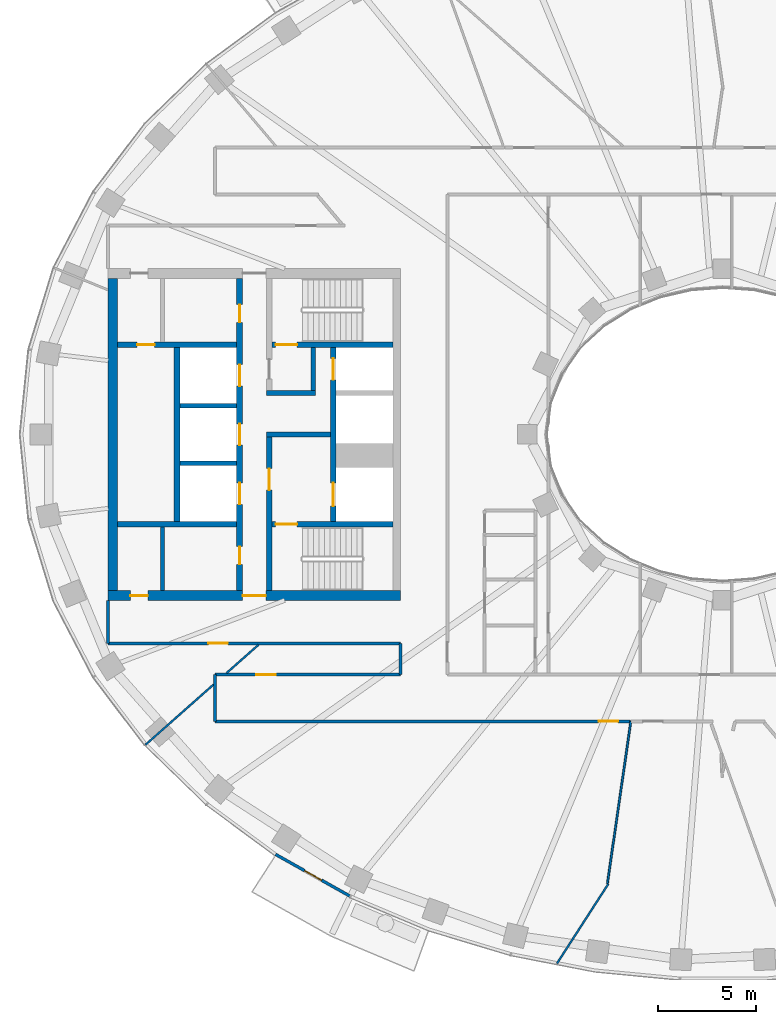
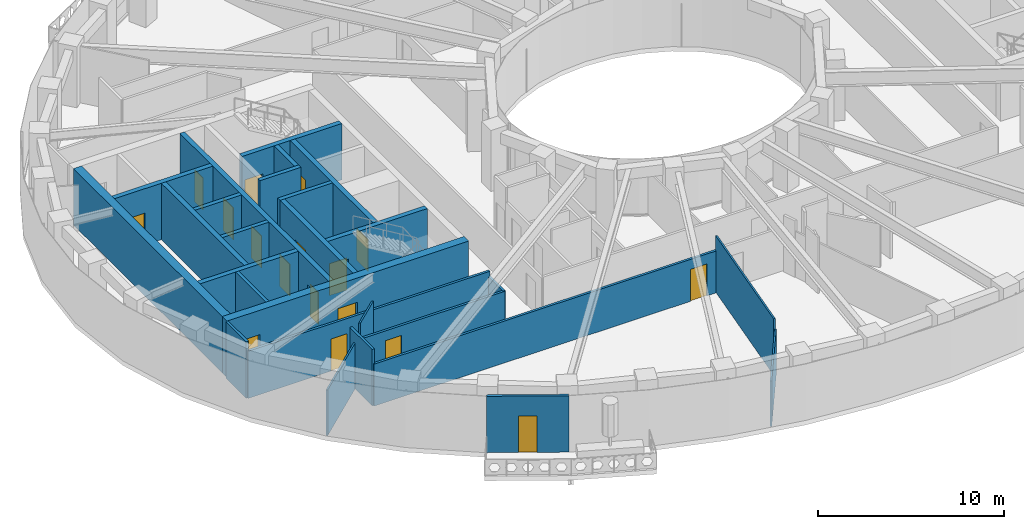
# One storey, part 3 of 15: 27 walls, 17 doors, 17 openings.
"""IFC4 building model written with IfcOpenShell, lengths in metres."""

from ifc_helpers import new_model, si_unit, direction, frame, frame_2d, origin, place, context, subcontext, project, spatial, rectangle, extrude, material, layer, layer_set, type_object, element, fill, save


model = new_model("IFC4")

# Units and contexts
model_context = context("Model", 3, precision=1e-05, world=origin(), true_north=direction((0.0, 1.0)))
body_context = subcontext(model_context, "Body", "Model", "MODEL_VIEW")
ifc_project = project(units=[si_unit("LENGTHUNIT", "METRE"), si_unit("AREAUNIT", "SQUARE_METRE"), si_unit("VOLUMEUNIT", "CUBIC_METRE"), si_unit("PLANEANGLEUNIT", "RADIAN"), si_unit("MASSUNIT", "GRAM", prefix="KILO")], contexts=[model_context])

# Site, building, storey
site_placement = place(None, origin())
site = spatial("IfcSite", under=ifc_project, at=site_placement, CompositionType="ELEMENT")
building_placement = place(site_placement, origin())
building = spatial("IfcBuilding", under=site, at=building_placement, Name="Noorbagh Ring Tower", CompositionType="ELEMENT")
storey_placement = place(building_placement, frame((0.0, 0.0, 253.5)))
storey = spatial("IfcBuildingStorey", under=building, at=storey_placement, Name="L53", CompositionType="ELEMENT", Elevation=253.5)

# Walls
ifc_material_1 = material(Name="Gypsum board on steel studs", Category="steel")
ifc_layer_1 = layer(ifc_material_1, 0.199951171875)
ifc_layer_set_1 = layer_set([ifc_layer_1], Name="Gypsum board on steel studs")
wall_type_1 = type_object("IfcWallType", Name="CORE-PARTITION-200", PredefinedType="PARTITIONING", material=ifc_layer_set_1)
wall_1_placement = place(storey_placement, frame((-28.699951171875, -8.0, 0.0), z_axis=(0.0, 0.0, 1.0), x_axis=(0.0, 1.0, 0.0)))
element("IfcWall", 1, at=wall_1_placement, inside=storey, type_object=wall_type_1, Name="Core partition W", PredefinedType="PARTITIONING", context=body_context, shape_type="SweptSolid", body=[
    extrude(rectangle(XDim=3.25, YDim=0.199951171875, at=frame_2d((1.625, 0.0))), origin(), (0.0, 0.0, 1.0), 3.699951171875),
])
ifc_material_2 = material(Name="Concrete C60/75", Category="concrete")
ifc_layer_2 = layer(ifc_material_2, 0.25)
ifc_layer_set_2 = layer_set([ifc_layer_2], Name="Concrete C60/75")
wall_type_2 = type_object("IfcWallType", Name="CORE-WALL-250-C60-75-EI120", PredefinedType="SHEAR", material=ifc_layer_set_2)
for number, where, z_axis, x_axis, name in (
    (2, (-24.89990234375, -1.47509765625, 0.0), (0.0, 0.0, 1.0), (-1.0, 0.0, 0.0), "Core wall W"),
    (3, (-24.89990234375, 1.47509765625, 0.0), (0.0, 0.0, 1.0), (-1.0, 0.0, 0.0), "Core wall W"),
):
    element("IfcWall", number, at=place(storey_placement, frame(where, z_axis=z_axis, x_axis=x_axis)), inside=storey, type_object=wall_type_2, Name=name, PredefinedType="SHEAR", context=body_context, shape_type="SweptSolid", body=[
        extrude(rectangle(XDim=2.900146484375, YDim=0.25, at=frame_2d((1.4501953125, 0.0))), origin(), (0.0, 0.0, 1.0), 3.699951171875),
    ])
ifc_material_3 = material(Name="Concrete C60/75", Category="concrete")
ifc_layer_3 = layer(ifc_material_3, 0.25)
ifc_layer_set_3 = layer_set([ifc_layer_3], Name="Concrete C60/75")
wall_type_3 = type_object("IfcWallType", Name="CORE-WALL-250-C60-75-EI240", PredefinedType="SHEAR", material=ifc_layer_set_3)
wall_2_placement = place(storey_placement, frame((-20.10009765625, 0.0, 0.0), z_axis=(0.0, 0.0, 1.0), x_axis=(-1.0, 0.0, 0.0)))
element("IfcWall", 4, at=wall_2_placement, inside=storey, type_object=wall_type_3, Name="Core wall W", PredefinedType="SHEAR", context=body_context, shape_type="SweptSolid", body=[
    extrude(rectangle(XDim=3.27978515625, YDim=0.25, at=frame_2d((1.639892578125, 0.0))), origin(), (0.0, 0.0, 1.0), 3.699951171875),
])
wall_3_placement = place(storey_placement, frame((-20.85009765625, 2.125, 0.0), z_axis=(0.0, 0.0, 1.0), x_axis=(-1.0, 0.0, 0.0)))
element("IfcWall", 5, at=wall_3_placement, inside=storey, type_object=wall_type_3, Name="Core wall W", PredefinedType="SHEAR", context=body_context, shape_type="SweptSolid", body=[
    extrude(rectangle(XDim=2.52978515625, YDim=0.25, at=frame_2d((1.264892578125, 0.0))), origin(), (0.0, 0.0, 1.0), 3.699951171875),
])
wall_4_placement = place(storey_placement, frame((-20.97509765625, 2.25, 0.0), z_axis=(0.0, 0.0, 1.0), x_axis=(0.0, 1.0, 0.0)))
element("IfcWall", 6, at=wall_4_placement, inside=storey, type_object=wall_type_3, Name="Core wall W", PredefinedType="SHEAR", context=body_context, shape_type="SweptSolid", body=[
    extrude(rectangle(XDim=2.199951171875, YDim=0.25, at=frame_2d((1.10009765625, 0.0))), origin(), (0.0, 0.0, 1.0), 3.699951171875),
])
ifc_material_4 = material(Name="Concrete C60/75", Category="concrete")
ifc_layer_4 = layer(ifc_material_4, 0.300048828125)
ifc_layer_set_4 = layer_set([ifc_layer_4], Name="Concrete C60/75")
wall_type_4 = type_object("IfcWallType", Name="CORE-WALL-300-C60-75-EI120", PredefinedType="SHEAR", material=ifc_layer_set_4)
wall_5_placement = place(storey_placement, frame((-27.949951171875, -4.449951171875, 0.0), z_axis=(0.0, 0.0, 1.0), x_axis=(0.0, 1.0, 0.0)))
element("IfcWall", 7, at=wall_5_placement, inside=storey, type_object=wall_type_4, Name="Core wall W", PredefinedType="SHEAR", context=body_context, shape_type="SweptSolid", body=[
    extrude(rectangle(XDim=8.89990234375, YDim=0.300048828125, at=frame_2d((4.449951171875, 0.0))), origin(), (0.0, 0.0, 1.0), 3.699951171875),
])

# Wall, openings, doors
wall_6_placement = place(storey_placement, frame((-19.949951171875, -4.449951171875, 0.0), z_axis=(0.0, 0.0, 1.0), x_axis=(0.0, 1.0, 0.0)))
wall_6 = element("IfcWall", 8, at=wall_6_placement, inside=storey, type_object=wall_type_4, Name="Core wall W", PredefinedType="SHEAR", context=body_context, shape_type="SweptSolid", body=[
    extrude(rectangle(XDim=8.89990234375, YDim=0.300048828125, at=frame_2d((4.449951171875, 0.0))), origin(), (0.0, 0.0, 1.0), 3.699951171875),
])
opening_1_placement = place(wall_6_placement, frame((0.77490234375, 0.0, 0.0)))
opening_1 = element("IfcOpeningElement", 9, at=opening_1_placement, cuts=wall_6, Name="Opening L53-CW01", PredefinedType="OPENING", context=body_context, shape_type="SweptSolid", body=[
    extrude(rectangle(XDim=1.199951171875, YDim=2.10009765625, at=frame_2d((0.60009765625, 1.050048828125))), frame((0.0, 0.16015625, 0.0), z_axis=(0.0, -1.0, 0.0), x_axis=(1.0, 0.0, 0.0)), (0.0, 0.0, 1.0), 0.320068359375),
])
opening_2_placement = place(wall_6_placement, frame((7.25, 0.0, 0.0)))
opening_2 = element("IfcOpeningElement", 10, at=opening_2_placement, cuts=wall_6, Name="Opening L53-CW02", PredefinedType="OPENING", context=body_context, shape_type="SweptSolid", body=[
    extrude(rectangle(XDim=1.10009765625, YDim=2.10009765625, at=frame_2d((0.550048828125, 1.050048828125))), frame((0.0, 0.16015625, 0.0), z_axis=(0.0, -1.0, 0.0), x_axis=(1.0, 0.0, 0.0)), (0.0, 0.0, 1.0), 0.320068359375),
])
ifc_material_5 = material(Name="Steel door leaf", Category="steel")
door_type_1 = type_object("IfcDoorType", Name="CORE-DOOR-LD", OperationType="DOUBLE_DOOR_SLIDING", PredefinedType="DOOR", material=ifc_material_5)
door_1_placement = place(opening_2_placement, origin())
door_1 = element("IfcDoor", 11, at=door_1_placement, inside=storey, type_object=door_type_1, Name="Landing door HR1 L53-CW02", OperationType="DOUBLE_DOOR_SLIDING", OverallHeight=2.10009765625, OverallWidth=1.10009765625, PredefinedType="DOOR", context=body_context, shape_type="SweptSolid", body=[
    extrude(rectangle(XDim=1.10009765625, YDim=2.10009765625, at=frame_2d((0.550048828125, 1.050048828125))), frame((0.0, 0.02490234375, 0.0), z_axis=(0.0, -1.0, 0.0), x_axis=(1.0, 0.0, 0.0)), (0.0, 0.0, 1.0), 0.050048828125),
])
fill(opening_2, door_1)
ifc_material_6 = material(Name="Steel door leaf", Category="steel")
door_type_2 = type_object("IfcDoorType", Name="CORE-DOOR-LDW", OperationType="DOUBLE_DOOR_SLIDING", PredefinedType="DOOR", material=ifc_material_6)
door_2_placement = place(opening_1_placement, origin())
door_2 = element("IfcDoor", 12, at=door_2_placement, inside=storey, type_object=door_type_2, Name="Landing door FF1 L53-CW01", OperationType="DOUBLE_DOOR_SLIDING", OverallHeight=2.10009765625, OverallWidth=1.199951171875, PredefinedType="DOOR", context=body_context, shape_type="SweptSolid", body=[
    extrude(rectangle(XDim=1.199951171875, YDim=2.10009765625, at=frame_2d((0.60009765625, 1.050048828125))), frame((0.0, 0.02490234375, 0.0), z_axis=(0.0, -1.0, 0.0), x_axis=(1.0, 0.0, 0.0)), (0.0, 0.0, 1.0), 0.050048828125),
])
fill(opening_1, door_2)

wall_7_placement = place(storey_placement, frame((-24.75, -8.0, 0.0), z_axis=(0.0, 0.0, 1.0), x_axis=(0.0, 1.0, 0.0)))
wall_7 = element("IfcWall", 13, at=wall_7_placement, inside=storey, type_object=wall_type_4, Name="Core wall W", PredefinedType="SHEAR", context=body_context, shape_type="SweptSolid", body=[
    extrude(rectangle(XDim=16.0, YDim=0.300048828125, at=frame_2d((8.0, 0.0))), origin(), (0.0, 0.0, 1.0), 3.699951171875),
])
opening_3_placement = place(wall_7_placement, frame((4.425048828125, 0.0, 0.0)))
opening_3 = element("IfcOpeningElement", 14, at=opening_3_placement, cuts=wall_7, Name="Opening L53-CW03", PredefinedType="OPENING", context=body_context, shape_type="SweptSolid", body=[
    extrude(rectangle(XDim=1.10009765625, YDim=2.10009765625, at=frame_2d((0.550048828125, 1.050048828125))), frame((0.0, 0.16015625, 0.0), z_axis=(0.0, -1.0, 0.0), x_axis=(1.0, 0.0, 0.0)), (0.0, 0.0, 1.0), 0.320068359375),
])
opening_4_placement = place(wall_7_placement, frame((7.449951171875, 0.0, 0.0)))
opening_4 = element("IfcOpeningElement", 15, at=opening_4_placement, cuts=wall_7, Name="Opening L53-CW04", PredefinedType="OPENING", context=body_context, shape_type="SweptSolid", body=[
    extrude(rectangle(XDim=1.10009765625, YDim=2.10009765625, at=frame_2d((0.550048828125, 1.050048828125))), frame((0.0, 0.16015625, 0.0), z_axis=(0.0, -1.0, 0.0), x_axis=(1.0, 0.0, 0.0)), (0.0, 0.0, 1.0), 0.320068359375),
])
opening_5_placement = place(wall_7_placement, frame((10.47509765625, 0.0, 0.0)))
opening_5 = element("IfcOpeningElement", 16, at=opening_5_placement, cuts=wall_7, Name="Opening L53-CW05", PredefinedType="OPENING", context=body_context, shape_type="SweptSolid", body=[
    extrude(rectangle(XDim=1.10009765625, YDim=2.10009765625, at=frame_2d((0.550048828125, 1.050048828125))), frame((0.0, 0.16015625, 0.0), z_axis=(0.0, -1.0, 0.0), x_axis=(1.0, 0.0, 0.0)), (0.0, 0.0, 1.0), 0.320068359375),
])
opening_6_placement = place(wall_7_placement, frame((13.75, 0.0, 0.0)))
opening_6 = element("IfcOpeningElement", 17, at=opening_6_placement, cuts=wall_7, Name="Opening L53-CW12", PredefinedType="OPENING", context=body_context, shape_type="SweptSolid", body=[
    extrude(rectangle(XDim=0.89990234375, YDim=2.10009765625, at=frame_2d((0.449951171875, 1.050048828125))), frame((0.0, 0.16015625, 0.0), z_axis=(0.0, -1.0, 0.0), x_axis=(1.0, 0.0, 0.0)), (0.0, 0.0, 1.0), 0.320068359375),
])
opening_7_placement = place(wall_7_placement, frame((1.35009765625, 0.0, 0.0)))
opening_7 = element("IfcOpeningElement", 18, at=opening_7_placement, cuts=wall_7, Name="Opening L53-CW14", PredefinedType="OPENING", context=body_context, shape_type="SweptSolid", body=[
    extrude(rectangle(XDim=0.89990234375, YDim=2.10009765625, at=frame_2d((0.449951171875, 1.050048828125))), frame((0.0, 0.16015625, 0.0), z_axis=(0.0, -1.0, 0.0), x_axis=(1.0, 0.0, 0.0)), (0.0, 0.0, 1.0), 0.320068359375),
])
ifc_material_7 = material(Name="Steel door leaf", Category="steel")
door_type_3 = type_object("IfcDoorType", Name="CORE-DOOR-DROOM", OperationType="SINGLE_SWING_LEFT", PredefinedType="DOOR", material=ifc_material_7)
door_3_placement = place(opening_6_placement, origin())
door_3 = element("IfcDoor", 19, at=door_3_placement, inside=storey, type_object=door_type_3, Name="Core room door L53-CW12", OperationType="SINGLE_SWING_RIGHT", OverallHeight=2.10009765625, OverallWidth=0.89990234375, PredefinedType="DOOR", context=body_context, shape_type="SweptSolid", body=[
    extrude(rectangle(XDim=0.89990234375, YDim=2.10009765625, at=frame_2d((0.449951171875, 1.050048828125))), frame((0.0, 0.02490234375, 0.0), z_axis=(0.0, -1.0, 0.0), x_axis=(1.0, 0.0, 0.0)), (0.0, 0.0, 1.0), 0.050048828125),
])
fill(opening_6, door_3)
door_4_placement = place(opening_7_placement, origin())
door_4 = element("IfcDoor", 20, at=door_4_placement, inside=storey, type_object=door_type_3, Name="Core room door L53-CW14", OperationType="SINGLE_SWING_LEFT", OverallHeight=2.10009765625, OverallWidth=0.89990234375, PredefinedType="DOOR", context=body_context, shape_type="SweptSolid", body=[
    extrude(rectangle(XDim=0.89990234375, YDim=2.10009765625, at=frame_2d((0.449951171875, 1.050048828125))), frame((0.0, 0.02490234375, 0.0), z_axis=(0.0, -1.0, 0.0), x_axis=(1.0, 0.0, 0.0)), (0.0, 0.0, 1.0), 0.050048828125),
])
fill(opening_7, door_4)
door_5_placement = place(opening_3_placement, origin())
door_5 = element("IfcDoor", 21, at=door_5_placement, inside=storey, type_object=door_type_1, Name="Landing door HR2 L53-CW03", OperationType="DOUBLE_DOOR_SLIDING", OverallHeight=2.10009765625, OverallWidth=1.10009765625, PredefinedType="DOOR", context=body_context, shape_type="SweptSolid", body=[
    extrude(rectangle(XDim=1.10009765625, YDim=2.10009765625, at=frame_2d((0.550048828125, 1.050048828125))), frame((0.0, 0.02490234375, 0.0), z_axis=(0.0, -1.0, 0.0), x_axis=(1.0, 0.0, 0.0)), (0.0, 0.0, 1.0), 0.050048828125),
])
fill(opening_3, door_5)
door_6_placement = place(opening_4_placement, origin())
door_6 = element("IfcDoor", 22, at=door_6_placement, inside=storey, type_object=door_type_1, Name="Landing door HR3 L53-CW04", OperationType="DOUBLE_DOOR_SLIDING", OverallHeight=2.10009765625, OverallWidth=1.10009765625, PredefinedType="DOOR", context=body_context, shape_type="SweptSolid", body=[
    extrude(rectangle(XDim=1.10009765625, YDim=2.10009765625, at=frame_2d((0.550048828125, 1.050048828125))), frame((0.0, 0.02490234375, 0.0), z_axis=(0.0, -1.0, 0.0), x_axis=(1.0, 0.0, 0.0)), (0.0, 0.0, 1.0), 0.050048828125),
])
fill(opening_4, door_6)
door_7_placement = place(opening_5_placement, origin())
door_7 = element("IfcDoor", 23, at=door_7_placement, inside=storey, type_object=door_type_1, Name="Landing door HR4 L53-CW05", OperationType="DOUBLE_DOOR_SLIDING", OverallHeight=2.10009765625, OverallWidth=1.10009765625, PredefinedType="DOOR", context=body_context, shape_type="SweptSolid", body=[
    extrude(rectangle(XDim=1.10009765625, YDim=2.10009765625, at=frame_2d((0.550048828125, 1.050048828125))), frame((0.0, 0.02490234375, 0.0), z_axis=(0.0, -1.0, 0.0), x_axis=(1.0, 0.0, 0.0)), (0.0, 0.0, 1.0), 0.050048828125),
])
fill(opening_5, door_7)

# Wall, opening, door
ifc_material_8 = material(Name="Concrete C60/75", Category="concrete")
ifc_layer_5 = layer(ifc_material_8, 0.300048828125)
ifc_layer_set_5 = layer_set([ifc_layer_5], Name="Concrete C60/75")
wall_type_5 = type_object("IfcWallType", Name="CORE-WALL-300-C60-75-EI240", PredefinedType="SHEAR", material=ifc_layer_set_5)
wall_8_placement = place(storey_placement, frame((-24.89990234375, 4.60009765625, 0.0), z_axis=(0.0, 0.0, 1.0), x_axis=(-1.0, 0.0, 0.0)))
wall_8 = element("IfcWall", 24, at=wall_8_placement, inside=storey, type_object=wall_type_5, Name="Core wall W", PredefinedType="SHEAR", context=body_context, shape_type="SweptSolid", body=[
    extrude(rectangle(XDim=6.10009765625, YDim=0.300048828125, at=frame_2d((3.050048828125, 0.0))), origin(), (0.0, 0.0, 1.0), 3.699951171875),
])
opening_8_placement = place(wall_8_placement, frame((4.199951171875, 0.0, 0.0)))
opening_8 = element("IfcOpeningElement", 25, at=opening_8_placement, cuts=wall_8, Name="Opening L53-CW16", PredefinedType="OPENING", context=body_context, shape_type="SweptSolid", body=[
    extrude(rectangle(XDim=0.89990234375, YDim=2.10009765625, at=frame_2d((0.449951171875, 1.050048828125))), frame((0.0, 0.16015625, 0.0), z_axis=(0.0, -1.0, 0.0), x_axis=(1.0, 0.0, 0.0)), (0.0, 0.0, 1.0), 0.320068359375),
])
door_8_placement = place(opening_8_placement, origin())
door_8 = element("IfcDoor", 26, at=door_8_placement, inside=storey, type_object=door_type_3, Name="Core room door L53-CW16", OperationType="SINGLE_SWING_LEFT", OverallHeight=2.10009765625, OverallWidth=0.89990234375, PredefinedType="DOOR", context=body_context, shape_type="SweptSolid", body=[
    extrude(rectangle(XDim=0.89990234375, YDim=2.10009765625, at=frame_2d((0.449951171875, 1.050048828125))), frame((0.0, 0.02490234375, 0.0), z_axis=(0.0, -1.0, 0.0), x_axis=(1.0, 0.0, 0.0)), (0.0, 0.0, 1.0), 0.050048828125),
])
fill(opening_8, door_8)

# Wall
wall_9_placement = place(storey_placement, frame((-24.89990234375, -4.60009765625, 0.0), z_axis=(0.0, 0.0, 1.0), x_axis=(-1.0, 0.0, 0.0)))
element("IfcWall", 27, at=wall_9_placement, inside=storey, type_object=wall_type_5, Name="Core wall W", PredefinedType="SHEAR", context=body_context, shape_type="SweptSolid", body=[
    extrude(rectangle(XDim=6.10009765625, YDim=0.300048828125, at=frame_2d((3.050048828125, 0.0))), origin(), (0.0, 0.0, 1.0), 3.699951171875),
])

# Wall, opening, door
wall_10_placement = place(storey_placement, frame((-23.22998046875, -8.0, 0.0), z_axis=(0.0, 0.0, 1.0), x_axis=(0.0, 1.0, 0.0)))
wall_10 = element("IfcWall", 28, at=wall_10_placement, inside=storey, type_object=wall_type_5, Name="Core wall W", PredefinedType="SHEAR", context=body_context, shape_type="SweptSolid", body=[
    extrude(rectangle(XDim=7.875, YDim=0.300048828125, at=frame_2d((3.9375, 0.0))), origin(), (0.0, 0.0, 1.0), 3.699951171875),
])
opening_9_placement = place(wall_10_placement, frame((5.14990234375, 0.0, 0.0)))
opening_9 = element("IfcOpeningElement", 29, at=opening_9_placement, cuts=wall_10, Name="Opening L53-CW08", PredefinedType="OPENING", context=body_context, shape_type="SweptSolid", body=[
    extrude(rectangle(XDim=1.10009765625, YDim=2.10009765625, at=frame_2d((0.550048828125, 1.050048828125))), frame((0.0, 0.16015625, 0.0), z_axis=(0.0, -1.0, 0.0), x_axis=(1.0, 0.0, 0.0)), (0.0, 0.0, 1.0), 0.320068359375),
])
ifc_material_9 = material(Name="Steel door leaf", Category="steel")
door_type_4 = type_object("IfcDoorType", Name="CORE-DOOR-DFF", OperationType="SINGLE_SWING_LEFT", PredefinedType="DOOR", material=ifc_material_9)
door_9_placement = place(opening_9_placement, origin())
door_9 = element("IfcDoor", 30, at=door_9_placement, inside=storey, type_object=door_type_4, Name="Firefighting lobby door L53-CW08", OperationType="SINGLE_SWING_LEFT", OverallHeight=2.10009765625, OverallWidth=1.10009765625, PredefinedType="DOOR", context=body_context, shape_type="SweptSolid", body=[
    extrude(rectangle(XDim=1.10009765625, YDim=2.10009765625, at=frame_2d((0.550048828125, 1.050048828125))), frame((0.0, 0.02490234375, 0.0), z_axis=(0.0, -1.0, 0.0), x_axis=(1.0, 0.0, 0.0)), (0.0, 0.0, 1.0), 0.050048828125),
])
fill(opening_9, door_9)

wall_11_placement = place(storey_placement, frame((-16.89990234375, 4.60009765625, 0.0), z_axis=(0.0, 0.0, 1.0), x_axis=(-1.0, 0.0, 0.0)))
wall_11 = element("IfcWall", 31, at=wall_11_placement, inside=storey, type_object=wall_type_5, Name="Core wall W", PredefinedType="SHEAR", context=body_context, shape_type="SweptSolid", body=[
    extrude(rectangle(XDim=6.18017578125, YDim=0.300048828125, at=frame_2d((3.090087890625, 0.0))), origin(), (0.0, 0.0, 1.0), 3.699951171875),
])
opening_10_placement = place(wall_11_placement, frame((4.89990234375, 0.0, 0.0)))
opening_10 = element("IfcOpeningElement", 32, at=opening_10_placement, cuts=wall_11, Name="Opening L53-CW06", PredefinedType="OPENING", context=body_context, shape_type="SweptSolid", body=[
    extrude(rectangle(XDim=1.10009765625, YDim=2.10009765625, at=frame_2d((0.550048828125, 1.050048828125))), frame((0.0, 0.16015625, 0.0), z_axis=(0.0, -1.0, 0.0), x_axis=(1.0, 0.0, 0.0)), (0.0, 0.0, 1.0), 0.320068359375),
])
ifc_material_10 = material(Name="Steel door leaf", Category="steel")
door_type_5 = type_object("IfcDoorType", Name="CORE-DOOR-DSTAIR", OperationType="SINGLE_SWING_LEFT", PredefinedType="DOOR", material=ifc_material_10)
door_10_placement = place(opening_10_placement, origin())
door_10 = element("IfcDoor", 33, at=door_10_placement, inside=storey, type_object=door_type_5, Name="Stair door ST1 L53-CW06", OperationType="SINGLE_SWING_RIGHT", OverallHeight=2.10009765625, OverallWidth=1.10009765625, PredefinedType="DOOR", context=body_context, shape_type="SweptSolid", body=[
    extrude(rectangle(XDim=1.10009765625, YDim=2.10009765625, at=frame_2d((0.550048828125, 1.050048828125))), frame((0.0, 0.02490234375, 0.0), z_axis=(0.0, -1.0, 0.0), x_axis=(1.0, 0.0, 0.0)), (0.0, 0.0, 1.0), 0.050048828125),
])
fill(opening_10, door_10)

wall_12_placement = place(storey_placement, frame((-16.89990234375, -4.60009765625, 0.0), z_axis=(0.0, 0.0, 1.0), x_axis=(-1.0, 0.0, 0.0)))
wall_12 = element("IfcWall", 34, at=wall_12_placement, inside=storey, type_object=wall_type_5, Name="Core wall W", PredefinedType="SHEAR", context=body_context, shape_type="SweptSolid", body=[
    extrude(rectangle(XDim=6.18017578125, YDim=0.300048828125, at=frame_2d((3.090087890625, 0.0))), origin(), (0.0, 0.0, 1.0), 3.699951171875),
])
opening_11_placement = place(wall_12_placement, frame((4.89990234375, 0.0, 0.0)))
opening_11 = element("IfcOpeningElement", 35, at=opening_11_placement, cuts=wall_12, Name="Opening L53-CW07", PredefinedType="OPENING", context=body_context, shape_type="SweptSolid", body=[
    extrude(rectangle(XDim=1.10009765625, YDim=2.10009765625, at=frame_2d((0.550048828125, 1.050048828125))), frame((0.0, 0.16015625, 0.0), z_axis=(0.0, -1.0, 0.0), x_axis=(1.0, 0.0, 0.0)), (0.0, 0.0, 1.0), 0.320068359375),
])
door_11_placement = place(opening_11_placement, origin())
door_11 = element("IfcDoor", 36, at=door_11_placement, inside=storey, type_object=door_type_5, Name="Stair door ST2 L53-CW07", OperationType="SINGLE_SWING_LEFT", OverallHeight=2.10009765625, OverallWidth=1.10009765625, PredefinedType="DOOR", context=body_context, shape_type="SweptSolid", body=[
    extrude(rectangle(XDim=1.10009765625, YDim=2.10009765625, at=frame_2d((0.550048828125, 1.050048828125))), frame((0.0, 0.02490234375, 0.0), z_axis=(0.0, -1.0, 0.0), x_axis=(1.0, 0.0, 0.0)), (0.0, 0.0, 1.0), 0.050048828125),
])
fill(opening_11, door_11)

# Wall, openings, doors
ifc_material_11 = material(Name="Concrete C60/75", Category="concrete")
ifc_layer_6 = layer(ifc_material_11, 0.5)
ifc_layer_set_6 = layer_set([ifc_layer_6], Name="Concrete C60/75")
wall_type_6 = type_object("IfcWallType", Name="CORE-WALL-500-C60-75-EI240", PredefinedType="SHEAR", material=ifc_layer_set_6)
wall_13_placement = place(storey_placement, frame((-16.5, -8.25, 0.0), z_axis=(0.0, 0.0, 1.0), x_axis=(-1.0, 0.0, 0.0)))
wall_13 = element("IfcWall", 37, at=wall_13_placement, inside=storey, type_object=wall_type_6, Name="Core wall W", PredefinedType="SHEAR", context=body_context, shape_type="SweptSolid", body=[
    extrude(rectangle(XDim=15.0, YDim=0.5, at=frame_2d((7.5, 0.0))), origin(), (0.0, 0.0, 1.0), 3.699951171875),
])
opening_12_placement = place(wall_13_placement, frame((6.89990234375, 0.0, 0.0)))
opening_12 = element("IfcOpeningElement", 38, at=opening_12_placement, cuts=wall_13, Name="Opening L53-CW11", PredefinedType="OPENING", context=body_context, shape_type="SweptSolid", body=[
    extrude(rectangle(XDim=1.199951171875, YDim=2.10009765625, at=frame_2d((0.60009765625, 1.050048828125))), frame((0.0, 0.260009765625, 0.0), z_axis=(0.0, -1.0, 0.0), x_axis=(1.0, 0.0, 0.0)), (0.0, 0.0, 1.0), 0.52001953125),
])
opening_13_placement = place(wall_13_placement, frame((12.949951171875, 0.0, 0.0)))
opening_13 = element("IfcOpeningElement", 39, at=opening_13_placement, cuts=wall_13, Name="Opening L53-CW15", PredefinedType="OPENING", context=body_context, shape_type="SweptSolid", body=[
    extrude(rectangle(XDim=0.89990234375, YDim=2.10009765625, at=frame_2d((0.449951171875, 1.050048828125))), frame((0.0, 0.260009765625, 0.0), z_axis=(0.0, -1.0, 0.0), x_axis=(1.0, 0.0, 0.0)), (0.0, 0.0, 1.0), 0.52001953125),
])
door_12_placement = place(opening_13_placement, origin())
door_12 = element("IfcDoor", 40, at=door_12_placement, inside=storey, type_object=door_type_3, Name="Core room door L53-CW15", OperationType="SINGLE_SWING_LEFT", OverallHeight=2.10009765625, OverallWidth=0.89990234375, PredefinedType="DOOR", context=body_context, shape_type="SweptSolid", body=[
    extrude(rectangle(XDim=0.89990234375, YDim=2.10009765625, at=frame_2d((0.449951171875, 1.050048828125))), frame((0.0, 0.02490234375, 0.0), z_axis=(0.0, -1.0, 0.0), x_axis=(1.0, 0.0, 0.0)), (0.0, 0.0, 1.0), 0.050048828125),
])
fill(opening_13, door_12)
ifc_material_12 = material(Name="Steel door leaf", Category="steel")
door_type_6 = type_object("IfcDoorType", Name="CORE-DOOR-PORT", OperationType="DOUBLE_DOOR_DOUBLE_SWING", PredefinedType="DOOR", material=ifc_material_12)
door_13_placement = place(opening_12_placement, origin())
door_13 = element("IfcDoor", 41, at=door_13_placement, inside=storey, type_object=door_type_6, Name="Core entrance door L53-CW11", OperationType="DOUBLE_DOOR_DOUBLE_SWING", OverallHeight=2.10009765625, OverallWidth=1.199951171875, PredefinedType="DOOR", context=body_context, shape_type="SweptSolid", body=[
    extrude(rectangle(XDim=1.199951171875, YDim=2.10009765625, at=frame_2d((0.60009765625, 1.050048828125))), frame((0.0, 0.02490234375, 0.0), z_axis=(0.0, -1.0, 0.0), x_axis=(1.0, 0.0, 0.0)), (0.0, 0.0, 1.0), 0.050048828125),
])
fill(opening_12, door_13)

# Walls
wall_14_placement = place(storey_placement, frame((-31.25, -8.0, 0.0), z_axis=(0.0, 0.0, 1.0), x_axis=(0.0, 1.0, 0.0)))
element("IfcWall", 42, at=wall_14_placement, inside=storey, type_object=wall_type_6, Name="Core wall W", PredefinedType="SHEAR", context=body_context, shape_type="SweptSolid", body=[
    extrude(rectangle(XDim=16.0, YDim=0.5, at=frame_2d((8.0, 0.0))), origin(), (0.0, 0.0, 1.0), 3.699951171875),
])
ifc_material_13 = material(Name="Gypsum board on steel studs", Category="steel")
ifc_layer_7 = layer(ifc_material_13, 0.14990234375)
ifc_layer_set_7 = layer_set([ifc_layer_7], Name="Gypsum board on steel studs")
wall_type_7 = type_object("IfcWallType", Name="CORRIDOR PARTITION 150 EI 30", PredefinedType="PARTITIONING", material=ifc_layer_set_7)
wall_15_placement = place(storey_placement, frame((-31.5, -10.699951171875, 0.0), z_axis=(0.0, 0.0, 1.0), x_axis=(0.0, 1.0, 0.0)))
element("IfcWall", 43, at=wall_15_placement, inside=storey, type_object=wall_type_7, Name="L53/wall/P02", PredefinedType="PARTITIONING", context=body_context, shape_type="SweptSolid", body=[
    extrude(rectangle(XDim=2.199951171875, YDim=0.14990234375, at=frame_2d((1.10009765625, 0.0))), origin(), (0.0, 0.0, 1.0), 3.699951171875),
])

# Wall, opening, door
wall_16_placement = place(storey_placement, frame((-31.5, -10.699951171875, 0.0), z_axis=(0.0, 0.0, 1.0), x_axis=(1.0, 0.0, 0.0)))
wall_16 = element("IfcWall", 44, at=wall_16_placement, inside=storey, type_object=wall_type_7, Name="L53/wall/P03", PredefinedType="PARTITIONING", context=body_context, shape_type="SweptSolid", body=[
    extrude(rectangle(XDim=15.0, YDim=0.14990234375, at=frame_2d((7.5, 0.0))), origin(), (0.0, 0.0, 1.0), 3.10009765625),
])
opening_14_placement = place(wall_16_placement, frame((5.14990234375, 0.0, 0.0)))
opening_14 = element("IfcOpeningElement", 45, at=opening_14_placement, cuts=wall_16, Name="Opening D1", PredefinedType="OPENING", context=body_context, shape_type="SweptSolid", body=[
    extrude(rectangle(XDim=1.0, YDim=2.10009765625, at=frame_2d((0.5, 1.050048828125))), frame((0.0, 0.0849609375, 0.0), z_axis=(0.0, -1.0, 0.0), x_axis=(1.0, 0.0, 0.0)), (0.0, 0.0, 1.0), 0.169921875),
])
ifc_material_14 = material(Name="Timber, painted", Category="wood")
door_type_7 = type_object("IfcDoorType", Name="DOOR 1000 X 2100 FD30", OperationType="SINGLE_SWING_LEFT", PredefinedType="DOOR", material=ifc_material_14)
door_14_placement = place(opening_14_placement, origin())
door_14 = element("IfcDoor", 46, at=door_14_placement, inside=storey, type_object=door_type_7, Name="L53-D06", OperationType="SINGLE_SWING_RIGHT", OverallHeight=2.10009765625, OverallWidth=1.0, PredefinedType="DOOR", context=body_context, shape_type="SweptSolid", body=[
    extrude(rectangle(XDim=1.0, YDim=2.10009765625, at=frame_2d((0.5, 1.050048828125))), frame((0.0, 0.02490234375, 0.0), z_axis=(0.0, -1.0, 0.0), x_axis=(1.0, 0.0, 0.0)), (0.0, 0.0, 1.0), 0.050048828125),
])
fill(opening_14, door_14)

# Wall
wall_17_placement = place(storey_placement, frame((-26.0, -14.699951171875, 0.0), z_axis=(0.0, 0.0, 1.0), x_axis=(0.0, 1.0, 0.0)))
element("IfcWall", 47, at=wall_17_placement, inside=storey, type_object=wall_type_7, Name="L53/wall/P08", PredefinedType="PARTITIONING", context=body_context, shape_type="SweptSolid", body=[
    extrude(rectangle(XDim=2.39990234375, YDim=0.14990234375, at=frame_2d((1.199951171875, 0.0))), origin(), (0.0, 0.0, 1.0), 3.699951171875),
])

# Wall, opening, door
wall_18_placement = place(storey_placement, frame((-26.0, -14.699951171875, 0.0), z_axis=(0.0, 0.0, 1.0), x_axis=(1.0, 0.0, 0.0)))
wall_18 = element("IfcWall", 48, at=wall_18_placement, inside=storey, type_object=wall_type_7, Name="L53/wall/P09", PredefinedType="PARTITIONING", context=body_context, shape_type="SweptSolid", body=[
    extrude(rectangle(XDim=21.27490234375, YDim=0.14990234375, at=frame_2d((10.637451171875, 0.0))), origin(), (0.0, 0.0, 1.0), 2.75),
])
opening_15_placement = place(wall_18_placement, frame((19.64990234375, 0.0, 0.0)))
opening_15 = element("IfcOpeningElement", 49, at=opening_15_placement, cuts=wall_18, Name="Opening D1", PredefinedType="OPENING", context=body_context, shape_type="SweptSolid", body=[
    extrude(rectangle(XDim=1.0, YDim=2.10009765625, at=frame_2d((0.5, 1.050048828125))), frame((0.0, 0.0849609375, 0.0), z_axis=(0.0, -1.0, 0.0), x_axis=(1.0, 0.0, 0.0)), (0.0, 0.0, 1.0), 0.169921875),
])
door_15_placement = place(opening_15_placement, origin())
door_15 = element("IfcDoor", 50, at=door_15_placement, inside=storey, type_object=door_type_7, Name="L53-D08", OperationType="SINGLE_SWING_RIGHT", OverallHeight=2.10009765625, OverallWidth=1.0, PredefinedType="DOOR", context=body_context, shape_type="SweptSolid", body=[
    extrude(rectangle(XDim=1.0, YDim=2.10009765625, at=frame_2d((0.5, 1.050048828125))), frame((0.0, 0.02490234375, 0.0), z_axis=(0.0, -1.0, 0.0), x_axis=(1.0, 0.0, 0.0)), (0.0, 0.0, 1.0), 0.050048828125),
])
fill(opening_15, door_15)

wall_19_placement = place(storey_placement, frame((-26.0, -12.300048828125, 0.0), z_axis=(0.0, 0.0, 1.0), x_axis=(1.0, 0.0, 0.0)))
wall_19 = element("IfcWall", 51, at=wall_19_placement, inside=storey, type_object=wall_type_7, Name="L53/wall/P10", PredefinedType="PARTITIONING", context=body_context, shape_type="SweptSolid", body=[
    extrude(rectangle(XDim=9.5, YDim=0.14990234375, at=frame_2d((4.75, 0.0))), origin(), (0.0, 0.0, 1.0), 2.75),
])
opening_16_placement = place(wall_19_placement, frame((2.10009765625, 0.0, 0.0)))
opening_16 = element("IfcOpeningElement", 52, at=opening_16_placement, cuts=wall_19, Name="Opening D1", PredefinedType="OPENING", context=body_context, shape_type="SweptSolid", body=[
    extrude(rectangle(XDim=1.0, YDim=2.10009765625, at=frame_2d((0.5, 1.050048828125))), frame((0.0, 0.0849609375, 0.0), z_axis=(0.0, -1.0, 0.0), x_axis=(1.0, 0.0, 0.0)), (0.0, 0.0, 1.0), 0.169921875),
])
door_16_placement = place(opening_16_placement, origin())
door_16 = element("IfcDoor", 53, at=door_16_placement, inside=storey, type_object=door_type_7, Name="L53-D10", OperationType="SINGLE_SWING_RIGHT", OverallHeight=2.10009765625, OverallWidth=1.0, PredefinedType="DOOR", context=body_context, shape_type="SweptSolid", body=[
    extrude(rectangle(XDim=1.0, YDim=2.10009765625, at=frame_2d((0.5, 1.050048828125))), frame((0.0, 0.02490234375, 0.0), z_axis=(0.0, -1.0, 0.0), x_axis=(1.0, 0.0, 0.0)), (0.0, 0.0, 1.0), 0.050048828125),
])
fill(opening_16, door_16)

# Wall
wall_20_placement = place(storey_placement, frame((-16.5, -12.300048828125, 0.0), z_axis=(0.0, 0.0, 1.0), x_axis=(0.0, 1.0, 0.0)))
element("IfcWall", 54, at=wall_20_placement, inside=storey, type_object=wall_type_7, Name="L53/wall/P16", PredefinedType="PARTITIONING", context=body_context, shape_type="SweptSolid", body=[
    extrude(rectangle(XDim=1.60009765625, YDim=0.14990234375, at=frame_2d((0.800048828125, 0.0))), origin(), (0.0, 0.0, 1.0), 2.75),
])

# Wall, opening, door
ifc_material_15 = material(Name="Insulated aluminium clad panel", Category="aluminium")
ifc_layer_8 = layer(ifc_material_15, 0.14990234375)
ifc_layer_set_8 = layer_set([ifc_layer_8], Name="Insulated aluminium clad panel")
wall_type_8 = type_object("IfcWallType", Name="ENV-WALL-DOOR", PredefinedType="STANDARD", material=ifc_layer_set_8)
wall_21_placement = place(storey_placement, frame((-22.913330078125, -21.508544921875, 0.0), z_axis=(0.0, 0.0, 1.0), x_axis=(0.872046572975, -0.489422899509, 0.0)))
wall_21 = element("IfcWall", 55, at=wall_21_placement, inside=storey, type_object=wall_type_8, Name="Balcony door wall chord 30", PredefinedType="STANDARD", context=body_context, shape_type="SweptSolid", body=[
    extrude(rectangle(XDim=4.425537109375, YDim=0.14990234375, at=frame_2d((2.212890625, 0.0))), origin(), (0.0, 0.0, 1.0), 3.699951171875),
])
opening_17_placement = place(wall_21_placement, frame((1.712646484375, 0.0, 0.0)))
opening_17 = element("IfcOpeningElement", 56, at=opening_17_placement, cuts=wall_21, Name="Opening D-BL", PredefinedType="OPENING", context=body_context, shape_type="SweptSolid", body=[
    extrude(rectangle(XDim=1.0, YDim=2.39990234375, at=frame_2d((0.5, 1.199951171875))), frame((0.0, 0.0849609375, 0.0), z_axis=(0.0, -1.0, 0.0), x_axis=(1.0, 0.0, 0.0)), (0.0, 0.0, 1.0), 0.169921875),
])
ifc_material_16 = material(Name="Aluminium and glass", Category="aluminium")
door_type_8 = type_object("IfcDoorType", Name="ENV-DOOR-BALCONY", OperationType="SINGLE_SWING_LEFT", PredefinedType="DOOR", material=ifc_material_16)
door_17_placement = place(opening_17_placement, origin())
door_17 = element("IfcDoor", 57, at=door_17_placement, inside=storey, type_object=door_type_8, Name="Balcony door chord 30", OperationType="SINGLE_SWING_RIGHT", OverallHeight=2.39990234375, OverallWidth=1.0, PredefinedType="DOOR", context=body_context, shape_type="SweptSolid", body=[
    extrude(rectangle(XDim=1.0, YDim=2.39990234375, at=frame_2d((0.5, 1.199951171875))), frame((0.0, 0.02490234375, 0.0), z_axis=(0.0, -1.0, 0.0), x_axis=(1.0, 0.0, 0.0)), (0.0, 0.0, 1.0), 0.050048828125),
])
fill(opening_17, door_17)

# Walls
ifc_material_17 = material(Name="Gypsum board on steel studs", Category="steel")
ifc_layer_9 = layer(ifc_material_17, 0.10009765625)
ifc_layer_set_9 = layer_set([ifc_layer_9], Name="Gypsum board on steel studs")
wall_type_9 = type_object("IfcWallType", Name="PARTITION 100 GYPSUM", PredefinedType="PARTITIONING", material=ifc_layer_set_9)
wall_22_placement = place(storey_placement, frame((-29.569091796875, -15.89501953125, 0.0), z_axis=(0.0, 0.0, 1.0), x_axis=(0.748882694597, 0.662702580147, 0.0)))
element("IfcWall", 58, at=wall_22_placement, inside=storey, type_object=wall_type_9, Name="L53/wall/P06", PredefinedType="PARTITIONING", context=body_context, shape_type="SweptSolid", body=[
    extrude(rectangle(XDim=4.665771484375, YDim=0.10009765625, at=frame_2d((2.3330078125, 0.0))), origin(), (0.0, 0.0, 1.0), 3.0),
])
wall_23_placement = place(storey_placement, frame((-25.41796875, -12.221923828125, 0.0), z_axis=(0.0, 0.0, 1.0), x_axis=(0.749173971072, 0.662373279253, 0.0)))
element("IfcWall", 59, at=wall_23_placement, inside=storey, type_object=wall_type_9, Name="L53/wall/P14", PredefinedType="PARTITIONING", context=body_context, shape_type="SweptSolid", body=[
    extrude(rectangle(XDim=2.179931640625, YDim=0.10009765625, at=frame_2d((1.08984375, 0.0))), origin(), (0.0, 0.0, 1.0), 3.699951171875),
])
wall_24_placement = place(storey_placement, frame((-8.490966796875, -27.10400390625, 0.0), z_axis=(0.0, 0.0, 1.0), x_axis=(0.542285995048, 0.840193965448, 0.0)))
element("IfcWall", 60, at=wall_24_placement, inside=storey, type_object=wall_type_9, Name="L53/wall/P33", PredefinedType="PARTITIONING", context=body_context, shape_type="SweptSolid", body=[
    extrude(rectangle(XDim=4.857177734375, YDim=0.10009765625, at=frame_2d((2.4287109375, 0.0))), origin(), (0.0, 0.0, 1.0), 3.0),
])
wall_25_placement = place(storey_placement, frame((-5.905029296875, -23.0048828125, 0.0), z_axis=(0.0, 0.0, 1.0), x_axis=(0.142957594351, 0.989728814483, 0.0)))
element("IfcWall", 61, at=wall_25_placement, inside=storey, type_object=wall_type_9, Name="L53/wall/P34", PredefinedType="PARTITIONING", context=body_context, shape_type="SweptSolid", body=[
    extrude(rectangle(XDim=8.386962890625, YDim=0.10009765625, at=frame_2d((4.193359375, 0.0))), origin(), (0.0, 0.0, 1.0), 3.699951171875),
])

save(model, "model.ifc")
